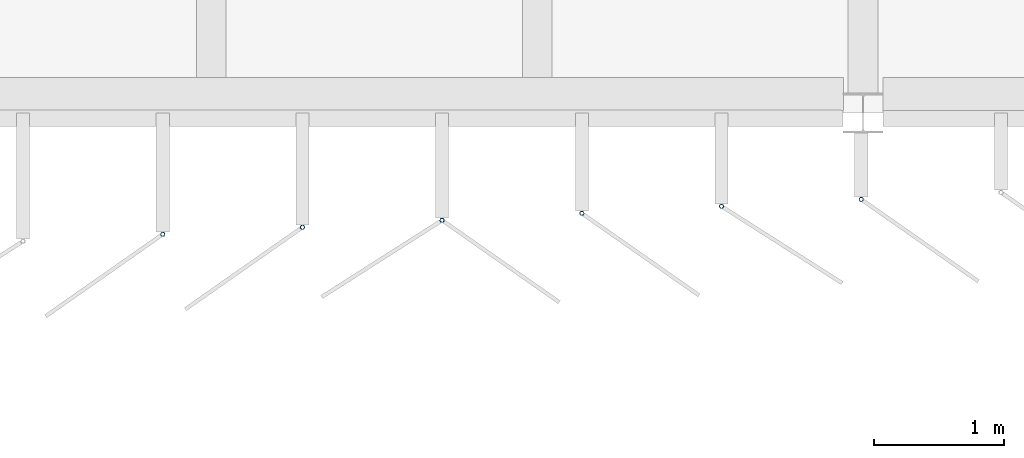
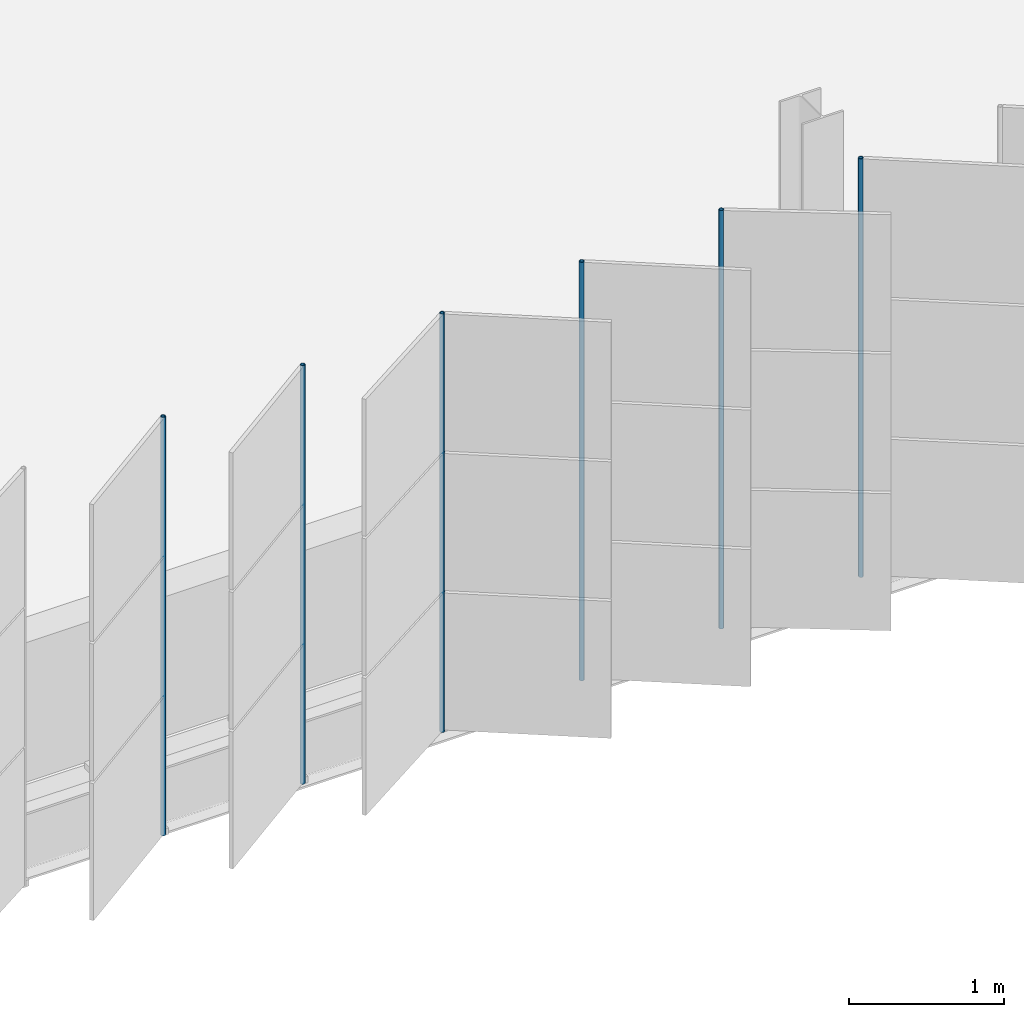
# One storey, part 71 of 199: 6 discrete accessories.
"""IFC4 building model written with IfcOpenShell, lengths in metres."""

from ifc_helpers import new_model, si_unit, direction, frame, origin, origin_2d, place, context, subcontext, project, spatial, hollow_circle, extrude, material, material_profile, profile_set, type_object, element, save


model = new_model("IFC4")

# Units and contexts
model_context = context("Model", 3, precision=1e-05, world=origin(), true_north=direction((0.0, 1.0)))
body_context = subcontext(model_context, "Body", "Model", "MODEL_VIEW")
ifc_project = project(units=[si_unit("LENGTHUNIT", "METRE"), si_unit("AREAUNIT", "SQUARE_METRE"), si_unit("VOLUMEUNIT", "CUBIC_METRE"), si_unit("PLANEANGLEUNIT", "RADIAN"), si_unit("MASSUNIT", "GRAM", prefix="KILO")], contexts=[model_context])

# Site, building, storey
site_placement = place(None, origin())
site = spatial("IfcSite", under=ifc_project, at=site_placement, CompositionType="ELEMENT")
building_placement = place(site_placement, origin())
building = spatial("IfcBuilding", under=site, at=building_placement, Name="Parallax Yard Mobility Hub", CompositionType="ELEMENT")
storey_placement = place(building_placement, frame((0.0, 0.0, 9.89990234375)))
storey = spatial("IfcBuildingStorey", under=building, at=storey_placement, Name="L03", CompositionType="ELEMENT", Elevation=9.89990234375)

# Discrete accessories
ifc_material = material(Name="Steel ASTM A500 Gr C, hot-dip galvanised", Category="steel")
ifc_material_profile = material_profile(ifc_material, hollow_circle(Radius=0.016845703125, WallThickness=0.003173828125, at=origin_2d()), Name="CHS 33.7x3.2")
ifc_profile_set = profile_set([ifc_material_profile], Name="Steel ASTM A500 Gr C, hot-dip galvanised")
discrete_accessory_type = type_object("IfcDiscreteAccessoryType", Name="Hinge post CHS 33.7x3.2", PredefinedType="BRACKET", material=ifc_profile_set)
for number, where, z_axis, x_axis, name in (
    (1, (32.12841796875, 111.569580078125, 0.0), (0.0, 0.0, 1.0), (1.0, 0.0, 0.0), "Hinge post bay 1.3 level L03"),
    (2, (33.19970703125, 111.623291015625, 0.0), (0.0, 0.0, 1.0), (1.0, 0.0, 0.0), "Hinge post bay 1.4 level L03"),
    (3, (34.271240234375, 111.6767578125, 0.0), (0.0, 0.0, 1.0), (1.0, 0.0, 0.0), "Hinge post bay 1.5 level L03"),
    (4, (35.3427734375, 111.73046875, 0.0), (0.0, 0.0, 1.0), (1.0, 0.0, 0.0), "Hinge post bay 1.6 level L03"),
    (5, (36.414306640625, 111.783935546875, 0.0), (0.0, 0.0, 1.0), (1.0, 0.0, 0.0), "Hinge post bay 1.7 level L03"),
    (6, (37.48583984375, 111.83740234375, 0.0), (0.0, 0.0, 1.0), (1.0, 0.0, 0.0), "Hinge post bay 2.1 level L03"),
):
    element("IfcDiscreteAccessory", number, at=place(storey_placement, frame(where, z_axis=z_axis, x_axis=x_axis)), inside=storey, type_object=discrete_accessory_type, Name=name, PredefinedType="BRACKET", context=body_context, shape_type="SweptSolid", body=[
        extrude(hollow_circle(Radius=0.016845703125, WallThickness=0.003173828125, at=origin_2d()), origin(), (0.0, 0.0, 1.0), 3.300048828125),
    ])

save(model, "model.ifc")
